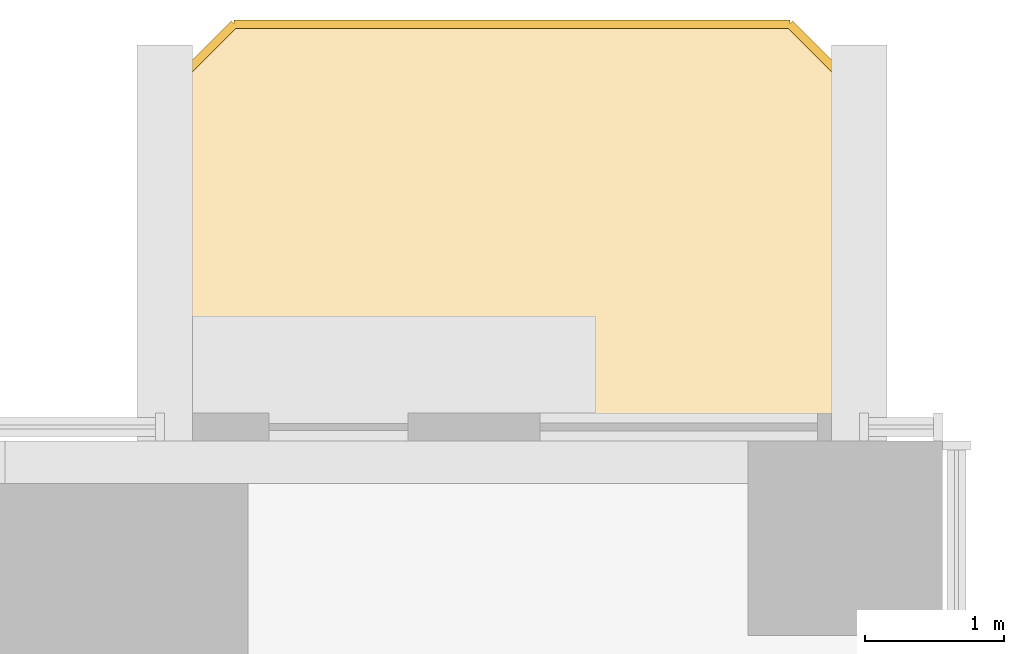
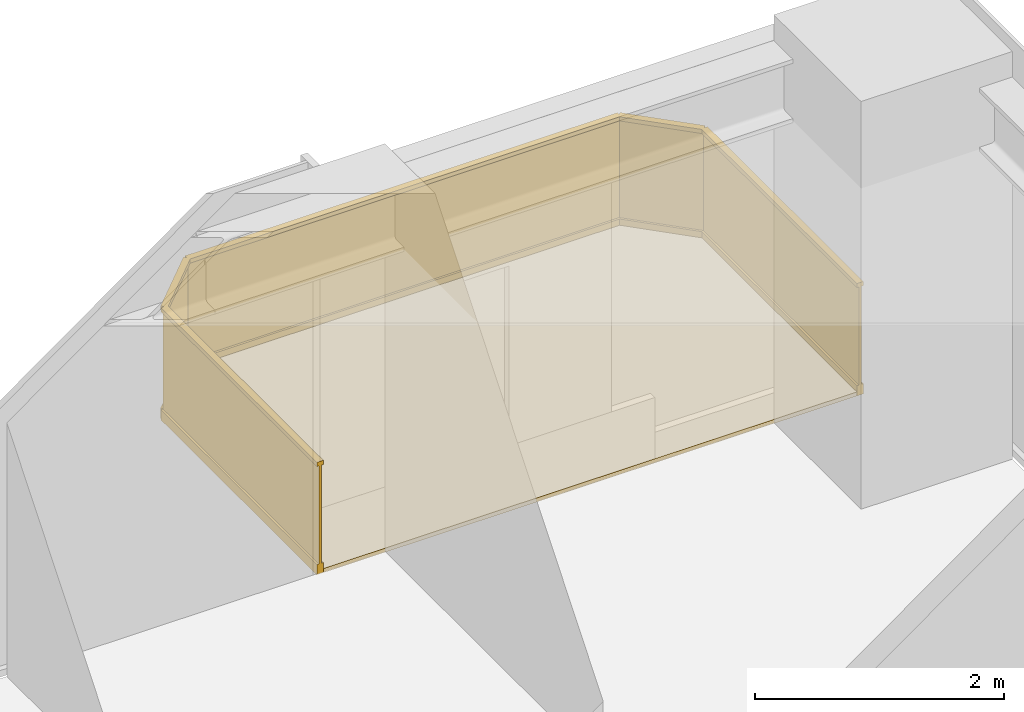
# One storey, part 17 of 18: 1 covering, 1 railing.
"""IFC4 building model written with IfcOpenShell, lengths in metres."""

from ifc_helpers import new_model, si_unit, direction, frame, origin, origin_2d, place, context, subcontext, project, spatial, polyline, rectangle, outline, extrude, material, layer, layer_set, type_object, element, save


model = new_model("IFC4")

# Units and contexts
model_context = context("Model", 3, precision=1e-05, world=origin(), true_north=direction((0.0, 1.0)))
body_context = subcontext(model_context, "Body", "Model", "MODEL_VIEW")
ifc_project = project(units=[si_unit("LENGTHUNIT", "METRE"), si_unit("AREAUNIT", "SQUARE_METRE"), si_unit("VOLUMEUNIT", "CUBIC_METRE"), si_unit("PLANEANGLEUNIT", "RADIAN"), si_unit("MASSUNIT", "GRAM", prefix="KILO")], contexts=[model_context])

# Site, building, storey
site_placement = place(None, origin())
site = spatial("IfcSite", under=ifc_project, at=site_placement, CompositionType="ELEMENT")
building_placement = place(site_placement, origin())
building = spatial("IfcBuilding", under=site, at=building_placement, Name="Svetlomir Tower", CompositionType="ELEMENT")
storey_placement = place(building_placement, frame((0.0, 0.0, 78.5)))
storey = spatial("IfcBuildingStorey", under=building, at=storey_placement, Name="L18", CompositionType="ELEMENT", Elevation=78.5)

# Railing
ifc_material_1 = material(Name="Bronze anodised aluminium and laminated glass", Category="aluminium")
railing_type = type_object("IfcRailingType", Name="BALCONY GUARD GR1 1100", PredefinedType="GUARDRAIL", material=ifc_material_1)
railing_placement = place(storey_placement, frame((35.39990234375, 42.0, 0.0)))
element("IfcRailing", 1, at=railing_placement, inside=storey, type_object=railing_type, Name="Balcony guard N L18", PredefinedType="GUARDRAIL", context=body_context, shape_type="SweptSolid", body=[
    extrude(rectangle(XDim=0.06005859375, YDim=0.10009765625, at=origin_2d()), frame((0.0, 0.0, 0.050048828125), z_axis=(0.0, 1.0, 0.0), x_axis=(-1.0, 0.0, 0.0)), (0.0, 0.0, 1.0), 2.5),
    extrude(rectangle(XDim=0.021484375, YDim=0.960205078125, at=origin_2d()), frame((0.0, 0.0, 0.580078125), z_axis=(0.0, 1.0, 0.0), x_axis=(-1.0, 0.0, 0.0)), (0.0, 0.0, 1.0), 2.5),
    extrude(rectangle(XDim=0.06005859375, YDim=0.0400390625, at=origin_2d()), frame((0.0, 0.0, 1.080078125), z_axis=(0.0, 1.0, 0.0), x_axis=(-1.0, 0.0, 0.0)), (0.0, 0.0, 1.0), 2.5),
    extrude(rectangle(XDim=0.06005859375, YDim=0.10009765625, at=origin_2d()), frame((0.0, 2.5, 0.050048828125), z_axis=(-0.707106781187, 0.707106781187, 0.0), x_axis=(-0.707106781187, -0.707106781187, 0.0)), (0.0, 0.0, 1.0), 0.70703125),
    extrude(rectangle(XDim=0.021484375, YDim=0.960205078125, at=origin_2d()), frame((0.0, 2.5, 0.580078125), z_axis=(-0.707106781187, 0.707106781187, 0.0), x_axis=(-0.707106781187, -0.707106781187, 0.0)), (0.0, 0.0, 1.0), 0.70703125),
    extrude(rectangle(XDim=0.06005859375, YDim=0.0400390625, at=origin_2d()), frame((0.0, 2.5, 1.080078125), z_axis=(-0.707106781187, 0.707106781187, 0.0), x_axis=(-0.707106781187, -0.707106781187, 0.0)), (0.0, 0.0, 1.0), 0.70703125),
    extrude(rectangle(XDim=0.06005859375, YDim=0.10009765625, at=origin_2d()), frame((-0.5, 3.0, 0.050048828125), z_axis=(-1.0, 0.0, 0.0), x_axis=(0.0, -1.0, 0.0)), (0.0, 0.0, 1.0), 4.0),
    extrude(rectangle(XDim=0.021484375, YDim=0.960205078125, at=origin_2d()), frame((-0.5, 3.0, 0.580078125), z_axis=(-1.0, 0.0, 0.0), x_axis=(0.0, -1.0, 0.0)), (0.0, 0.0, 1.0), 4.0),
    extrude(rectangle(XDim=0.06005859375, YDim=0.0400390625, at=origin_2d()), frame((-0.5, 3.0, 1.080078125), z_axis=(-1.0, 0.0, 0.0), x_axis=(0.0, -1.0, 0.0)), (0.0, 0.0, 1.0), 4.0),
    extrude(rectangle(XDim=0.06005859375, YDim=0.10009765625, at=origin_2d()), frame((-4.5, 3.0, 0.050048828125), z_axis=(-0.707106781187, -0.707106781187, 0.0), x_axis=(0.707106781187, -0.707106781187, 0.0)), (0.0, 0.0, 1.0), 0.70703125),
    extrude(rectangle(XDim=0.021484375, YDim=0.960205078125, at=origin_2d()), frame((-4.5, 3.0, 0.580078125), z_axis=(-0.707106781187, -0.707106781187, 0.0), x_axis=(0.707106781187, -0.707106781187, 0.0)), (0.0, 0.0, 1.0), 0.70703125),
    extrude(rectangle(XDim=0.06005859375, YDim=0.0400390625, at=origin_2d()), frame((-4.5, 3.0, 1.080078125), z_axis=(-0.707106781187, -0.707106781187, 0.0), x_axis=(0.707106781187, -0.707106781187, 0.0)), (0.0, 0.0, 1.0), 0.70703125),
    extrude(rectangle(XDim=0.06005859375, YDim=0.10009765625, at=origin_2d()), frame((-5.0, 2.5, 0.050048828125), z_axis=(0.0, -1.0, 0.0), x_axis=(1.0, 0.0, 0.0)), (0.0, 0.0, 1.0), 2.5),
    extrude(rectangle(XDim=0.021484375, YDim=0.960205078125, at=origin_2d()), frame((-5.0, 2.5, 0.580078125), z_axis=(0.0, -1.0, 0.0), x_axis=(1.0, 0.0, 0.0)), (0.0, 0.0, 1.0), 2.5),
    extrude(rectangle(XDim=0.06005859375, YDim=0.0400390625, at=origin_2d()), frame((-5.0, 2.5, 1.080078125), z_axis=(0.0, -1.0, 0.0), x_axis=(1.0, 0.0, 0.0)), (0.0, 0.0, 1.0), 2.5),
])

# Covering
ifc_material_2 = material(Name="Granite paving slabs on pedestals", Category="masonry")
ifc_layer = layer(ifc_material_2, 0.0400390625)
ifc_layer_set = layer_set([ifc_layer], Name="Granite paving slabs on pedestals")
covering_type = type_object("IfcCoveringType", Name="BALCONY PAVING 40", PredefinedType="USERDEFINED", material=ifc_layer_set)
covering_placement = place(storey_placement, origin())
element("IfcCovering", 2, at=covering_placement, inside=storey, type_object=covering_type, Name="Balcony paving N L18", ObjectType="BALCONY PAVING", PredefinedType="USERDEFINED", context=body_context, shape_type="SweptSolid", body=[
    extrude(outline(polyline([(30.39990234375, 42.0), (35.39990234375, 42.0), (35.39990234375, 44.5), (34.89990234375, 45.0), (30.89990234375, 45.0), (30.39990234375, 44.5), (30.39990234375, 42.0)])), origin(), (0.0, 0.0, 1.0), 0.0400390625),
])

save(model, "model.ifc")
